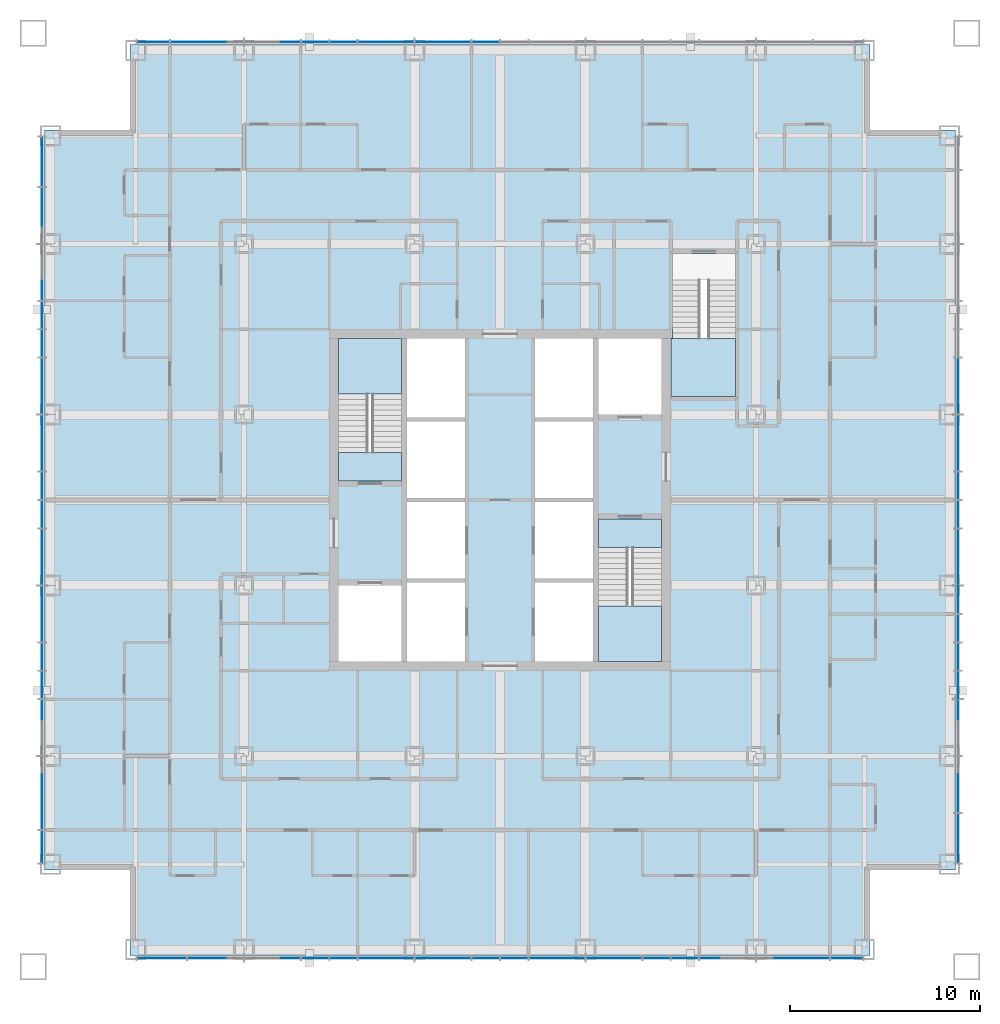
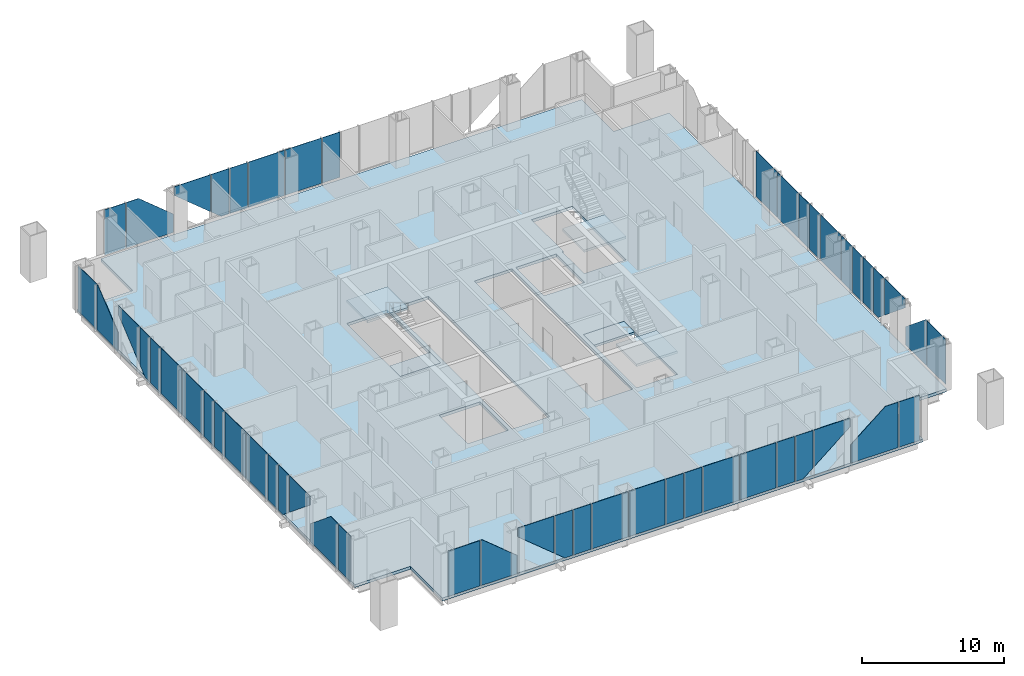
# One storey, part 7 of 14: 52 plates, 6 slabs, 7 elements without a shape of their own.
"""IFC4 building model written with IfcOpenShell, lengths in metres."""

from ifc_helpers import new_model, si_unit, direction, frame, origin, origin_2d, place, context, subcontext, project, spatial, polyline, rectangle, outline, extrude, material, layer, layer_set, type_object, element, aggregate, save


model = new_model("IFC4")

# Units and contexts
model_context = context("Model", 3, precision=1e-05, world=origin(), true_north=direction((0.0, 1.0)))
body_context = subcontext(model_context, "Body", "Model", "MODEL_VIEW")
ifc_project = project(units=[si_unit("LENGTHUNIT", "METRE"), si_unit("AREAUNIT", "SQUARE_METRE"), si_unit("VOLUMEUNIT", "CUBIC_METRE"), si_unit("PLANEANGLEUNIT", "RADIAN"), si_unit("MASSUNIT", "GRAM", prefix="KILO")], contexts=[model_context])

# Site, building, storey
site_placement = place(None, origin())
site = spatial("IfcSite", under=ifc_project, at=site_placement, CompositionType="ELEMENT")
building_placement = place(site_placement, origin())
building = spatial("IfcBuilding", under=site, at=building_placement, Name="Malebo Sky Hospital", CompositionType="ELEMENT")
storey_placement = place(building_placement, frame((0.0, 0.0, 128.0)))
storey = spatial("IfcBuildingStorey", under=building, at=storey_placement, Name="L30", CompositionType="ELEMENT", Elevation=128.0)

# Slab
ifc_material_1 = material(Name="Concrete C40/50", Category="concrete")
ifc_layer_1 = layer(ifc_material_1, 0.25)
ifc_layer_set_1 = layer_set([ifc_layer_1], Name="COMPOSITE FLOOR SLAB 250")
slab_type_1 = type_object("IfcSlabType", Name="COMPOSITE FLOOR SLAB 250", PredefinedType="FLOOR", material=ifc_layer_set_1)
slab_1_placement = place(storey_placement, frame((0.0, 0.0, -0.25)))
element("IfcSlab", 1, at=slab_1_placement, inside=storey, type_object=slab_type_1, Name="Floor slab L30", PredefinedType="FLOOR", context=body_context, shape_type="SweptSolid", body=[
    extrude(outline(polyline([(40.5, 86.0), (40.5, 81.5), (36.0, 81.5), (36.0, 42.5), (40.5, 42.5), (40.5, 38.0), (79.5, 38.0), (79.5, 42.5), (84.0, 42.5), (84.0, 81.5), (79.5, 81.5), (79.5, 86.0), (40.5, 86.0)]), holes=[polyline([(55.10009765625, 70.5), (58.14990234375, 70.5), (58.14990234375, 53.5), (55.10009765625, 53.5), (55.10009765625, 70.5)]), polyline([(64.89990234375, 70.5), (64.89990234375, 53.5), (61.85009765625, 53.5), (61.85009765625, 70.5), (64.89990234375, 70.5)]), polyline([(54.800048828125, 63.0), (51.5, 63.0), (51.5, 70.5), (54.800048828125, 70.5), (54.800048828125, 63.0)]), polyline([(51.5, 53.5), (51.5, 57.5), (54.800048828125, 57.5), (54.800048828125, 53.5), (51.5, 53.5)]), polyline([(65.199951171875, 61.0), (68.5, 61.0), (68.5, 53.5), (65.199951171875, 53.5), (65.199951171875, 61.0)]), polyline([(68.5, 70.5), (68.5, 66.5), (65.199951171875, 66.5), (65.199951171875, 70.5), (68.5, 70.5)]), polyline([(69.0, 67.449951171875), (69.0, 70.52001953125), (69.10009765625, 70.52001953125), (69.10009765625, 75.0), (72.39990234375, 75.0), (72.39990234375, 67.449951171875), (69.10009765625, 67.449951171875), (69.0, 67.449951171875)])]), origin(), (0.0, 0.0, 1.0), 0.25),
])

# Stair, slabs
stair_type_1 = type_object("IfcStairType", Name="HALF-TURN STAIR 1500 R167", PredefinedType="HALF_TURN_STAIR", material=ifc_material_1)
stair_1_placement = place(storey_placement, origin())
stair_1 = element("IfcStair", 2, at=stair_1_placement, inside=storey, type_object=stair_type_1, Name="Stair S1 L30 type ST1", PredefinedType="HALF_TURN_STAIR")
ifc_layer_2 = layer(ifc_material_1, 0.199951171875)
ifc_layer_set_2 = layer_set([ifc_layer_2], Name="STAIR LANDING 200")
slab_type_2 = type_object("IfcSlabType", Name="STAIR LANDING 200", PredefinedType="LANDING", material=ifc_layer_set_2)
slab_2_placement = place(storey_placement, frame((0.0, 0.0, -0.199951171875)))
slab_2 = element("IfcSlab", 3, at=slab_2_placement, type_object=slab_type_2, Name="S1 landing 1", PredefinedType="LANDING", context=body_context, shape_type="SweptSolid", body=[
    extrude(outline(polyline([(51.5, 63.0), (54.800048828125, 63.0), (54.800048828125, 64.5), (51.5, 64.5), (51.5, 63.0)])), origin(), (0.0, 0.0, 1.0), 0.199951171875),
])
slab_3_placement = place(storey_placement, frame((0.0, 0.0, 1.800048828125)))
slab_3 = element("IfcSlab", 4, at=slab_3_placement, type_object=slab_type_2, Name="S1 landing 2", PredefinedType="LANDING", context=body_context, shape_type="SweptSolid", body=[
    extrude(outline(polyline([(51.5, 67.580078125), (54.800048828125, 67.580078125), (54.800048828125, 70.5), (51.5, 70.5), (51.5, 67.580078125)])), origin(), (0.0, 0.0, 1.0), 0.199951171875),
])
aggregate(stair_1, [slab_2, slab_3])

stair_2_placement = place(storey_placement, origin())
stair_2 = element("IfcStair", 5, at=stair_2_placement, inside=storey, type_object=stair_type_1, Name="Stair S2 L30 type ST1", PredefinedType="HALF_TURN_STAIR")
slab_4_placement = place(storey_placement, frame((0.0, 0.0, -0.199951171875)))
slab_4 = element("IfcSlab", 6, at=slab_4_placement, type_object=slab_type_2, Name="S2 landing 1", PredefinedType="LANDING", context=body_context, shape_type="SweptSolid", body=[
    extrude(outline(polyline([(65.199951171875, 59.5), (68.5, 59.5), (68.5, 61.0), (65.199951171875, 61.0), (65.199951171875, 59.5)])), origin(), (0.0, 0.0, 1.0), 0.199951171875),
])
slab_5_placement = place(storey_placement, frame((0.0, 0.0, 1.800048828125)))
slab_5 = element("IfcSlab", 7, at=slab_5_placement, type_object=slab_type_2, Name="S2 landing 2", PredefinedType="LANDING", context=body_context, shape_type="SweptSolid", body=[
    extrude(outline(polyline([(65.199951171875, 53.5), (68.5, 53.5), (68.5, 56.419921875), (65.199951171875, 56.419921875), (65.199951171875, 53.5)])), origin(), (0.0, 0.0, 1.0), 0.199951171875),
])
aggregate(stair_2, [slab_4, slab_5])

# Stair, slab
stair_type_2 = type_object("IfcStairType", Name="HALF-TURN STAIR 1400 R167", PredefinedType="HALF_TURN_STAIR", material=ifc_material_1)
stair_3_placement = place(storey_placement, origin())
stair_3 = element("IfcStair", 8, at=stair_3_placement, inside=storey, type_object=stair_type_2, Name="Stair S3 L30 type ST1B", PredefinedType="HALF_TURN_STAIR")
slab_6_placement = place(storey_placement, frame((0.0, 0.0, 1.800048828125)))
slab_6 = element("IfcSlab", 9, at=slab_6_placement, type_object=slab_type_2, Name="S3 landing 2", PredefinedType="LANDING", context=body_context, shape_type="SweptSolid", body=[
    extrude(outline(polyline([(69.0, 67.449951171875), (72.39990234375, 67.449951171875), (72.39990234375, 70.52001953125), (69.0, 70.52001953125), (69.0, 67.449951171875)])), origin(), (0.0, 0.0, 1.0), 0.199951171875),
])
aggregate(stair_3, [slab_6])

# Curtain wall, plates
ifc_material_2 = material(Name="Anodised aluminium, natural silver", Category="aluminium")
ifc_layer_3 = layer(ifc_material_2, 0.25)
ifc_layer_set_3 = layer_set([ifc_layer_3], Name="WARD CURTAIN WALL NORTH AND SOUTH")
curtain_wall_type_1 = type_object("IfcCurtainWallType", Name="WARD CURTAIN WALL NORTH AND SOUTH", PredefinedType="NOTDEFINED", material=ifc_layer_set_3)
curtain_wall_1_placement = place(storey_placement, origin())
curtain_wall_1 = element("IfcCurtainWall", 10, at=curtain_wall_1_placement, inside=storey, type_object=curtain_wall_type_1, Name="NS curtain wall N", PredefinedType="NOTDEFINED")
ifc_material_3 = material(Name="Clear low-iron double glazing", Category="glass")
ifc_layer_4 = layer(ifc_material_3, 0.031982421875)
ifc_layer_set_4 = layer_set([ifc_layer_4], Name="VISION PANEL CLEAR 32")
plate_type = type_object("IfcPlateType", Name="VISION PANEL CLEAR 32", PredefinedType="CURTAIN_PANEL", material=ifc_layer_set_4)
plate_1_placement = place(storey_placement, frame((41.71875, 86.135009765625, 0.10009765625), z_axis=(0.0, 0.0, 1.0), x_axis=(1.0, 0.0, 0.0)))
plate_1 = element("IfcPlate", 11, at=plate_1_placement, type_object=plate_type, Name="Panel 1", PredefinedType="CURTAIN_PANEL", context=body_context, shape_type="SweptSolid", body=[
    extrude(rectangle(XDim=1.6875, YDim=0.031982421875, at=origin_2d()), origin(), (0.0, 0.0, 1.0), 3.889892578125),
])
plate_2_placement = place(storey_placement, frame((44.550048828125, 86.135009765625, 0.10009765625), z_axis=(0.0, 0.0, 1.0), x_axis=(1.0, 0.0, 0.0)))
plate_2 = element("IfcPlate", 12, at=plate_2_placement, type_object=plate_type, Name="Panel 2", PredefinedType="CURTAIN_PANEL", context=body_context, shape_type="SweptSolid", body=[
    extrude(outline(polyline([(-1.91259765625, 0.0), (1.91259765625, 0.0), (1.91259765625, 1.572021484375), (-0.900146484375, 3.889892578125), (-1.91259765625, 3.889892578125), (-1.91259765625, 0.0)])), frame((0.0, 0.01611328125, 0.0), z_axis=(0.0, -1.0, 0.0), x_axis=(1.0, 0.0, 0.0)), (0.0, 0.0, 1.0), 0.031982421875),
])
plate_3_placement = place(storey_placement, frame((48.0, 86.135009765625, 0.820556640625), z_axis=(0.0, 0.0, 1.0), x_axis=(1.0, 0.0, 0.0)))
plate_3 = element("IfcPlate", 13, at=plate_3_placement, type_object=plate_type, Name="Panel 3", PredefinedType="CURTAIN_PANEL", context=body_context, shape_type="SweptSolid", body=[
    extrude(outline(polyline([(1.46240234375, 0.0), (1.46240234375, 3.16943359375), (-1.46240234375, 3.16943359375), (-1.46240234375, 2.41064453125), (1.46240234375, 0.0)])), frame((0.0, 0.01611328125, 0.0), z_axis=(0.0, -1.0, 0.0), x_axis=(1.0, 0.0, 0.0)), (0.0, 0.0, 1.0), 0.031982421875),
])
plate_4_placement = place(storey_placement, frame((50.25, 86.135009765625, 0.10009765625), z_axis=(0.0, 0.0, 1.0), x_axis=(1.0, 0.0, 0.0)))
plate_4 = element("IfcPlate", 14, at=plate_4_placement, type_object=plate_type, Name="Panel 4", PredefinedType="CURTAIN_PANEL", context=body_context, shape_type="SweptSolid", body=[
    extrude(outline(polyline([(0.086669921875, 0.0), (0.71240234375, 0.0), (0.71240234375, 3.889892578125), (-0.71240234375, 3.889892578125), (-0.71240234375, 0.65869140625), (0.086669921875, 0.0)])), frame((0.0, 0.01611328125, 0.0), z_axis=(0.0, -1.0, 0.0), x_axis=(1.0, 0.0, 0.0)), (0.0, 0.0, 1.0), 0.031982421875),
])
plate_5_placement = place(storey_placement, frame((51.75, 86.135009765625, 0.10009765625), z_axis=(0.0, 0.0, 1.0), x_axis=(1.0, 0.0, 0.0)))
plate_5 = element("IfcPlate", 15, at=plate_5_placement, type_object=plate_type, Name="Panel 5", PredefinedType="CURTAIN_PANEL", context=body_context, shape_type="SweptSolid", body=[
    extrude(rectangle(XDim=1.425048828125, YDim=0.031982421875, at=origin_2d()), origin(), (0.0, 0.0, 1.0), 3.889892578125),
])
plate_6_placement = place(storey_placement, frame((54.0, 86.135009765625, 0.10009765625), z_axis=(0.0, 0.0, 1.0), x_axis=(1.0, 0.0, 0.0)))
plate_6 = element("IfcPlate", 16, at=plate_6_placement, type_object=plate_type, Name="Panel 6", PredefinedType="CURTAIN_PANEL", context=body_context, shape_type="SweptSolid", body=[
    extrude(rectangle(XDim=2.925048828125, YDim=0.031982421875, at=origin_2d()), origin(), (0.0, 0.0, 1.0), 3.889892578125),
])
plate_7_placement = place(storey_placement, frame((57.0, 86.135009765625, 0.10009765625), z_axis=(0.0, 0.0, 1.0), x_axis=(1.0, 0.0, 0.0)))
plate_7 = element("IfcPlate", 17, at=plate_7_placement, type_object=plate_type, Name="Panel 7", PredefinedType="CURTAIN_PANEL", context=body_context, shape_type="SweptSolid", body=[
    extrude(rectangle(XDim=2.925048828125, YDim=0.031982421875, at=origin_2d()), origin(), (0.0, 0.0, 1.0), 3.889892578125),
])
plate_8_placement = place(storey_placement, frame((59.25, 86.135009765625, 0.10009765625), z_axis=(0.0, 0.0, 1.0), x_axis=(1.0, 0.0, 0.0)))
plate_8 = element("IfcPlate", 18, at=plate_8_placement, type_object=plate_type, Name="Panel 8", PredefinedType="CURTAIN_PANEL", context=body_context, shape_type="SweptSolid", body=[
    extrude(rectangle(XDim=1.425048828125, YDim=0.031982421875, at=origin_2d()), origin(), (0.0, 0.0, 1.0), 3.889892578125),
])
aggregate(curtain_wall_1, [plate_1, plate_2, plate_3, plate_4, plate_5, plate_6, plate_7, plate_8])

ifc_layer_5 = layer(ifc_material_2, 0.25)
ifc_layer_set_5 = layer_set([ifc_layer_5], Name="WARD CURTAIN WALL EAST AND WEST")
curtain_wall_type_2 = type_object("IfcCurtainWallType", Name="WARD CURTAIN WALL EAST AND WEST", PredefinedType="NOTDEFINED", material=ifc_layer_set_5)
curtain_wall_2_placement = place(storey_placement, origin())
curtain_wall_2 = element("IfcCurtainWall", 19, at=curtain_wall_2_placement, inside=storey, type_object=curtain_wall_type_2, Name="EW curtain wall W", PredefinedType="NOTDEFINED")
plate_9_placement = place(storey_placement, frame((35.864990234375, 43.71875, 0.10009765625), z_axis=(0.0, 0.0, 1.0), x_axis=(0.0, 1.0, 0.0)))
plate_9 = element("IfcPlate", 20, at=plate_9_placement, type_object=plate_type, Name="Panel 1", PredefinedType="CURTAIN_PANEL", context=body_context, shape_type="SweptSolid", body=[
    extrude(rectangle(XDim=1.6875, YDim=0.031982421875, at=origin_2d()), origin(), (0.0, 0.0, 1.0), 3.889892578125),
])
plate_10_placement = place(storey_placement, frame((35.864990234375, 46.550048828125, 0.10009765625), z_axis=(0.0, 0.0, 1.0), x_axis=(0.0, 1.0, 0.0)))
plate_10 = element("IfcPlate", 21, at=plate_10_placement, type_object=plate_type, Name="Panel 2", PredefinedType="CURTAIN_PANEL", context=body_context, shape_type="SweptSolid", body=[
    extrude(outline(polyline([(-1.91259765625, 0.0), (1.91259765625, 0.0), (1.91259765625, 1.572021484375), (-0.900146484375, 3.889892578125), (-1.91259765625, 3.889892578125), (-1.91259765625, 0.0)])), frame((0.0, 0.01611328125, 0.0), z_axis=(0.0, -1.0, 0.0), x_axis=(1.0, 0.0, 0.0)), (0.0, 0.0, 1.0), 0.031982421875),
])
plate_11_placement = place(storey_placement, frame((35.864990234375, 50.0, 0.820556640625), z_axis=(0.0, 0.0, 1.0), x_axis=(0.0, 1.0, 0.0)))
plate_11 = element("IfcPlate", 22, at=plate_11_placement, type_object=plate_type, Name="Panel 3", PredefinedType="CURTAIN_PANEL", context=body_context, shape_type="SweptSolid", body=[
    extrude(outline(polyline([(1.46240234375, 0.0), (1.46240234375, 3.16943359375), (-1.46240234375, 3.16943359375), (-1.46240234375, 2.41064453125), (1.46240234375, 0.0)])), frame((0.0, 0.01611328125, 0.0), z_axis=(0.0, -1.0, 0.0), x_axis=(1.0, 0.0, 0.0)), (0.0, 0.0, 1.0), 0.031982421875),
])
plate_12_placement = place(storey_placement, frame((35.864990234375, 52.25, 0.10009765625), z_axis=(0.0, 0.0, 1.0), x_axis=(0.0, 1.0, 0.0)))
plate_12 = element("IfcPlate", 23, at=plate_12_placement, type_object=plate_type, Name="Panel 4", PredefinedType="CURTAIN_PANEL", context=body_context, shape_type="SweptSolid", body=[
    extrude(outline(polyline([(0.086669921875, 0.0), (0.71240234375, 0.0), (0.71240234375, 3.889892578125), (-0.71240234375, 3.889892578125), (-0.71240234375, 0.65869140625), (0.086669921875, 0.0)])), frame((0.0, 0.01611328125, 0.0), z_axis=(0.0, -1.0, 0.0), x_axis=(1.0, 0.0, 0.0)), (0.0, 0.0, 1.0), 0.031982421875),
])
plate_13_placement = place(storey_placement, frame((35.864990234375, 53.75, 0.10009765625), z_axis=(0.0, 0.0, 1.0), x_axis=(0.0, 1.0, 0.0)))
plate_13 = element("IfcPlate", 24, at=plate_13_placement, type_object=plate_type, Name="Panel 5", PredefinedType="CURTAIN_PANEL", context=body_context, shape_type="SweptSolid", body=[
    extrude(rectangle(XDim=1.425048828125, YDim=0.031982421875, at=origin_2d()), origin(), (0.0, 0.0, 1.0), 3.889892578125),
])
plate_14_placement = place(storey_placement, frame((35.864990234375, 56.0, 0.10009765625), z_axis=(0.0, 0.0, 1.0), x_axis=(0.0, 1.0, 0.0)))
plate_14 = element("IfcPlate", 25, at=plate_14_placement, type_object=plate_type, Name="Panel 6", PredefinedType="CURTAIN_PANEL", context=body_context, shape_type="SweptSolid", body=[
    extrude(rectangle(XDim=2.925048828125, YDim=0.031982421875, at=origin_2d()), origin(), (0.0, 0.0, 1.0), 3.889892578125),
])
plate_15_placement = place(storey_placement, frame((35.864990234375, 59.0, 0.10009765625), z_axis=(0.0, 0.0, 1.0), x_axis=(0.0, 1.0, 0.0)))
plate_15 = element("IfcPlate", 26, at=plate_15_placement, type_object=plate_type, Name="Panel 7", PredefinedType="CURTAIN_PANEL", context=body_context, shape_type="SweptSolid", body=[
    extrude(rectangle(XDim=2.925048828125, YDim=0.031982421875, at=origin_2d()), origin(), (0.0, 0.0, 1.0), 3.889892578125),
])
plate_16_placement = place(storey_placement, frame((35.864990234375, 61.25, 0.10009765625), z_axis=(0.0, 0.0, 1.0), x_axis=(0.0, 1.0, 0.0)))
plate_16 = element("IfcPlate", 27, at=plate_16_placement, type_object=plate_type, Name="Panel 8", PredefinedType="CURTAIN_PANEL", context=body_context, shape_type="SweptSolid", body=[
    extrude(rectangle(XDim=1.425048828125, YDim=0.031982421875, at=origin_2d()), origin(), (0.0, 0.0, 1.0), 3.889892578125),
])
plate_17_placement = place(storey_placement, frame((35.864990234375, 62.75, 0.10009765625), z_axis=(0.0, 0.0, 1.0), x_axis=(0.0, 1.0, 0.0)))
plate_17 = element("IfcPlate", 28, at=plate_17_placement, type_object=plate_type, Name="Panel 9", PredefinedType="CURTAIN_PANEL", context=body_context, shape_type="SweptSolid", body=[
    extrude(rectangle(XDim=1.425048828125, YDim=0.031982421875, at=origin_2d()), origin(), (0.0, 0.0, 1.0), 3.889892578125),
])
plate_18_placement = place(storey_placement, frame((35.864990234375, 65.0, 0.10009765625), z_axis=(0.0, 0.0, 1.0), x_axis=(0.0, 1.0, 0.0)))
plate_18 = element("IfcPlate", 29, at=plate_18_placement, type_object=plate_type, Name="Panel 10", PredefinedType="CURTAIN_PANEL", context=body_context, shape_type="SweptSolid", body=[
    extrude(rectangle(XDim=2.925048828125, YDim=0.031982421875, at=origin_2d()), origin(), (0.0, 0.0, 1.0), 3.889892578125),
])
plate_19_placement = place(storey_placement, frame((35.864990234375, 68.0, 0.10009765625), z_axis=(0.0, 0.0, 1.0), x_axis=(0.0, 1.0, 0.0)))
plate_19 = element("IfcPlate", 30, at=plate_19_placement, type_object=plate_type, Name="Panel 11", PredefinedType="CURTAIN_PANEL", context=body_context, shape_type="SweptSolid", body=[
    extrude(rectangle(XDim=2.925048828125, YDim=0.031982421875, at=origin_2d()), origin(), (0.0, 0.0, 1.0), 3.889892578125),
])
plate_20_placement = place(storey_placement, frame((35.864990234375, 70.25, 0.10009765625), z_axis=(0.0, 0.0, 1.0), x_axis=(0.0, 1.0, 0.0)))
plate_20 = element("IfcPlate", 31, at=plate_20_placement, type_object=plate_type, Name="Panel 12", PredefinedType="CURTAIN_PANEL", context=body_context, shape_type="SweptSolid", body=[
    extrude(rectangle(XDim=1.425048828125, YDim=0.031982421875, at=origin_2d()), origin(), (0.0, 0.0, 1.0), 3.889892578125),
])
plate_21_placement = place(storey_placement, frame((35.864990234375, 71.75, 0.10009765625), z_axis=(0.0, 0.0, 1.0), x_axis=(0.0, 1.0, 0.0)))
plate_21 = element("IfcPlate", 32, at=plate_21_placement, type_object=plate_type, Name="Panel 13", PredefinedType="CURTAIN_PANEL", context=body_context, shape_type="SweptSolid", body=[
    extrude(outline(polyline([(-0.71240234375, 0.0), (-0.086669921875, 0.0), (0.71240234375, 0.65869140625), (0.71240234375, 3.889892578125), (-0.71240234375, 3.889892578125), (-0.71240234375, 0.0)])), frame((0.0, 0.01611328125, 0.0), z_axis=(0.0, -1.0, 0.0), x_axis=(1.0, 0.0, 0.0)), (0.0, 0.0, 1.0), 0.031982421875),
])
plate_22_placement = place(storey_placement, frame((35.864990234375, 74.0, 0.820556640625), z_axis=(0.0, 0.0, 1.0), x_axis=(0.0, 1.0, 0.0)))
plate_22 = element("IfcPlate", 33, at=plate_22_placement, type_object=plate_type, Name="Panel 14", PredefinedType="CURTAIN_PANEL", context=body_context, shape_type="SweptSolid", body=[
    extrude(outline(polyline([(-1.46240234375, 0.0), (1.46240234375, 2.41064453125), (1.46240234375, 3.16943359375), (-1.46240234375, 3.16943359375), (-1.46240234375, 0.0)])), frame((0.0, 0.01611328125, 0.0), z_axis=(0.0, -1.0, 0.0), x_axis=(1.0, 0.0, 0.0)), (0.0, 0.0, 1.0), 0.031982421875),
])
plate_23_placement = place(storey_placement, frame((35.864990234375, 77.0, 0.10009765625), z_axis=(0.0, 0.0, 1.0), x_axis=(0.0, 1.0, 0.0)))
plate_23 = element("IfcPlate", 34, at=plate_23_placement, type_object=plate_type, Name="Panel 15", PredefinedType="CURTAIN_PANEL", context=body_context, shape_type="SweptSolid", body=[
    extrude(outline(polyline([(-1.46240234375, 0.0), (1.46240234375, 0.0), (1.46240234375, 3.889892578125), (1.35009765625, 3.889892578125), (-1.46240234375, 1.572021484375), (-1.46240234375, 0.0)])), frame((0.0, 0.01611328125, 0.0), z_axis=(0.0, -1.0, 0.0), x_axis=(1.0, 0.0, 0.0)), (0.0, 0.0, 1.0), 0.031982421875),
])
plate_24_placement = place(storey_placement, frame((35.864990234375, 79.831298828125, 0.10009765625), z_axis=(0.0, 0.0, 1.0), x_axis=(0.0, 1.0, 0.0)))
plate_24 = element("IfcPlate", 35, at=plate_24_placement, type_object=plate_type, Name="Panel 16", PredefinedType="CURTAIN_PANEL", context=body_context, shape_type="SweptSolid", body=[
    extrude(rectangle(XDim=2.58740234375, YDim=0.031982421875, at=origin_2d()), origin(), (0.0, 0.0, 1.0), 3.889892578125),
])
aggregate(curtain_wall_2, [plate_9, plate_10, plate_11, plate_12, plate_13, plate_14, plate_15, plate_16, plate_17, plate_18, plate_19, plate_20, plate_21, plate_22, plate_23, plate_24])

curtain_wall_3_placement = place(storey_placement, origin())
curtain_wall_3 = element("IfcCurtainWall", 36, at=curtain_wall_3_placement, inside=storey, type_object=curtain_wall_type_1, Name="NS curtain wall S", PredefinedType="NOTDEFINED")
plate_25_placement = place(storey_placement, frame((78.28125, 37.864990234375, 0.10009765625), z_axis=(0.0, 0.0, 1.0), x_axis=(-1.0, 0.0, 0.0)))
plate_25 = element("IfcPlate", 37, at=plate_25_placement, type_object=plate_type, Name="Panel 1", PredefinedType="CURTAIN_PANEL", context=body_context, shape_type="SweptSolid", body=[
    extrude(rectangle(XDim=1.6875, YDim=0.031982421875, at=origin_2d()), origin(), (0.0, 0.0, 1.0), 3.889892578125),
])
plate_26_placement = place(storey_placement, frame((75.449951171875, 37.864990234375, 0.10009765625), z_axis=(0.0, 0.0, 1.0), x_axis=(-1.0, 0.0, 0.0)))
plate_26 = element("IfcPlate", 38, at=plate_26_placement, type_object=plate_type, Name="Panel 2", PredefinedType="CURTAIN_PANEL", context=body_context, shape_type="SweptSolid", body=[
    extrude(outline(polyline([(-1.91259765625, 0.0), (1.91259765625, 0.0), (1.91259765625, 1.572021484375), (-0.900146484375, 3.889892578125), (-1.91259765625, 3.889892578125), (-1.91259765625, 0.0)])), frame((0.0, 0.01611328125, 0.0), z_axis=(0.0, -1.0, 0.0), x_axis=(1.0, 0.0, 0.0)), (0.0, 0.0, 1.0), 0.031982421875),
])
plate_27_placement = place(storey_placement, frame((72.0, 37.864990234375, 0.820556640625), z_axis=(0.0, 0.0, 1.0), x_axis=(-1.0, 0.0, 0.0)))
plate_27 = element("IfcPlate", 39, at=plate_27_placement, type_object=plate_type, Name="Panel 3", PredefinedType="CURTAIN_PANEL", context=body_context, shape_type="SweptSolid", body=[
    extrude(outline(polyline([(1.46240234375, 0.0), (1.46240234375, 3.16943359375), (-1.46240234375, 3.16943359375), (-1.46240234375, 2.41064453125), (1.46240234375, 0.0)])), frame((0.0, 0.01611328125, 0.0), z_axis=(0.0, -1.0, 0.0), x_axis=(1.0, 0.0, 0.0)), (0.0, 0.0, 1.0), 0.031982421875),
])
plate_28_placement = place(storey_placement, frame((69.75, 37.864990234375, 0.10009765625), z_axis=(0.0, 0.0, 1.0), x_axis=(-1.0, 0.0, 0.0)))
plate_28 = element("IfcPlate", 40, at=plate_28_placement, type_object=plate_type, Name="Panel 4", PredefinedType="CURTAIN_PANEL", context=body_context, shape_type="SweptSolid", body=[
    extrude(outline(polyline([(0.086669921875, 0.0), (0.71240234375, 0.0), (0.71240234375, 3.889892578125), (-0.71240234375, 3.889892578125), (-0.71240234375, 0.65869140625), (0.086669921875, 0.0)])), frame((0.0, 0.01611328125, 0.0), z_axis=(0.0, -1.0, 0.0), x_axis=(1.0, 0.0, 0.0)), (0.0, 0.0, 1.0), 0.031982421875),
])
plate_29_placement = place(storey_placement, frame((68.25, 37.864990234375, 0.10009765625), z_axis=(0.0, 0.0, 1.0), x_axis=(-1.0, 0.0, 0.0)))
plate_29 = element("IfcPlate", 41, at=plate_29_placement, type_object=plate_type, Name="Panel 5", PredefinedType="CURTAIN_PANEL", context=body_context, shape_type="SweptSolid", body=[
    extrude(rectangle(XDim=1.425048828125, YDim=0.031982421875, at=origin_2d()), origin(), (0.0, 0.0, 1.0), 3.889892578125),
])
plate_30_placement = place(storey_placement, frame((66.0, 37.864990234375, 0.10009765625), z_axis=(0.0, 0.0, 1.0), x_axis=(-1.0, 0.0, 0.0)))
plate_30 = element("IfcPlate", 42, at=plate_30_placement, type_object=plate_type, Name="Panel 6", PredefinedType="CURTAIN_PANEL", context=body_context, shape_type="SweptSolid", body=[
    extrude(rectangle(XDim=2.925048828125, YDim=0.031982421875, at=origin_2d()), origin(), (0.0, 0.0, 1.0), 3.889892578125),
])
plate_31_placement = place(storey_placement, frame((63.0, 37.864990234375, 0.10009765625), z_axis=(0.0, 0.0, 1.0), x_axis=(-1.0, 0.0, 0.0)))
plate_31 = element("IfcPlate", 43, at=plate_31_placement, type_object=plate_type, Name="Panel 7", PredefinedType="CURTAIN_PANEL", context=body_context, shape_type="SweptSolid", body=[
    extrude(rectangle(XDim=2.925048828125, YDim=0.031982421875, at=origin_2d()), origin(), (0.0, 0.0, 1.0), 3.889892578125),
])
plate_32_placement = place(storey_placement, frame((60.75, 37.864990234375, 0.10009765625), z_axis=(0.0, 0.0, 1.0), x_axis=(-1.0, 0.0, 0.0)))
plate_32 = element("IfcPlate", 44, at=plate_32_placement, type_object=plate_type, Name="Panel 8", PredefinedType="CURTAIN_PANEL", context=body_context, shape_type="SweptSolid", body=[
    extrude(rectangle(XDim=1.425048828125, YDim=0.031982421875, at=origin_2d()), origin(), (0.0, 0.0, 1.0), 3.889892578125),
])
plate_33_placement = place(storey_placement, frame((59.25, 37.864990234375, 0.10009765625), z_axis=(0.0, 0.0, 1.0), x_axis=(-1.0, 0.0, 0.0)))
plate_33 = element("IfcPlate", 45, at=plate_33_placement, type_object=plate_type, Name="Panel 9", PredefinedType="CURTAIN_PANEL", context=body_context, shape_type="SweptSolid", body=[
    extrude(rectangle(XDim=1.425048828125, YDim=0.031982421875, at=origin_2d()), origin(), (0.0, 0.0, 1.0), 3.889892578125),
])
plate_34_placement = place(storey_placement, frame((57.0, 37.864990234375, 0.10009765625), z_axis=(0.0, 0.0, 1.0), x_axis=(-1.0, 0.0, 0.0)))
plate_34 = element("IfcPlate", 46, at=plate_34_placement, type_object=plate_type, Name="Panel 10", PredefinedType="CURTAIN_PANEL", context=body_context, shape_type="SweptSolid", body=[
    extrude(rectangle(XDim=2.925048828125, YDim=0.031982421875, at=origin_2d()), origin(), (0.0, 0.0, 1.0), 3.889892578125),
])
plate_35_placement = place(storey_placement, frame((54.0, 37.864990234375, 0.10009765625), z_axis=(0.0, 0.0, 1.0), x_axis=(-1.0, 0.0, 0.0)))
plate_35 = element("IfcPlate", 47, at=plate_35_placement, type_object=plate_type, Name="Panel 11", PredefinedType="CURTAIN_PANEL", context=body_context, shape_type="SweptSolid", body=[
    extrude(rectangle(XDim=2.925048828125, YDim=0.031982421875, at=origin_2d()), origin(), (0.0, 0.0, 1.0), 3.889892578125),
])
plate_36_placement = place(storey_placement, frame((51.75, 37.864990234375, 0.10009765625), z_axis=(0.0, 0.0, 1.0), x_axis=(-1.0, 0.0, 0.0)))
plate_36 = element("IfcPlate", 48, at=plate_36_placement, type_object=plate_type, Name="Panel 12", PredefinedType="CURTAIN_PANEL", context=body_context, shape_type="SweptSolid", body=[
    extrude(rectangle(XDim=1.425048828125, YDim=0.031982421875, at=origin_2d()), origin(), (0.0, 0.0, 1.0), 3.889892578125),
])
plate_37_placement = place(storey_placement, frame((50.25, 37.864990234375, 0.10009765625), z_axis=(0.0, 0.0, 1.0), x_axis=(-1.0, 0.0, 0.0)))
plate_37 = element("IfcPlate", 49, at=plate_37_placement, type_object=plate_type, Name="Panel 13", PredefinedType="CURTAIN_PANEL", context=body_context, shape_type="SweptSolid", body=[
    extrude(outline(polyline([(-0.71240234375, 0.0), (-0.086669921875, 0.0), (0.71240234375, 0.65869140625), (0.71240234375, 3.889892578125), (-0.71240234375, 3.889892578125), (-0.71240234375, 0.0)])), frame((0.0, 0.01611328125, 0.0), z_axis=(0.0, -1.0, 0.0), x_axis=(1.0, 0.0, 0.0)), (0.0, 0.0, 1.0), 0.031982421875),
])
plate_38_placement = place(storey_placement, frame((48.0, 37.864990234375, 0.820556640625), z_axis=(0.0, 0.0, 1.0), x_axis=(-1.0, 0.0, 0.0)))
plate_38 = element("IfcPlate", 50, at=plate_38_placement, type_object=plate_type, Name="Panel 14", PredefinedType="CURTAIN_PANEL", context=body_context, shape_type="SweptSolid", body=[
    extrude(outline(polyline([(-1.46240234375, 0.0), (1.46240234375, 2.41064453125), (1.46240234375, 3.16943359375), (-1.46240234375, 3.16943359375), (-1.46240234375, 0.0)])), frame((0.0, 0.01611328125, 0.0), z_axis=(0.0, -1.0, 0.0), x_axis=(1.0, 0.0, 0.0)), (0.0, 0.0, 1.0), 0.031982421875),
])
plate_39_placement = place(storey_placement, frame((45.0, 37.864990234375, 0.10009765625), z_axis=(0.0, 0.0, 1.0), x_axis=(-1.0, 0.0, 0.0)))
plate_39 = element("IfcPlate", 51, at=plate_39_placement, type_object=plate_type, Name="Panel 15", PredefinedType="CURTAIN_PANEL", context=body_context, shape_type="SweptSolid", body=[
    extrude(outline(polyline([(-1.46240234375, 0.0), (1.46240234375, 0.0), (1.46240234375, 3.889892578125), (1.35009765625, 3.889892578125), (-1.46240234375, 1.572021484375), (-1.46240234375, 0.0)])), frame((0.0, 0.01611328125, 0.0), z_axis=(0.0, -1.0, 0.0), x_axis=(1.0, 0.0, 0.0)), (0.0, 0.0, 1.0), 0.031982421875),
])
plate_40_placement = place(storey_placement, frame((42.168701171875, 37.864990234375, 0.10009765625), z_axis=(0.0, 0.0, 1.0), x_axis=(-1.0, 0.0, 0.0)))
plate_40 = element("IfcPlate", 52, at=plate_40_placement, type_object=plate_type, Name="Panel 16", PredefinedType="CURTAIN_PANEL", context=body_context, shape_type="SweptSolid", body=[
    extrude(rectangle(XDim=2.58740234375, YDim=0.031982421875, at=origin_2d()), origin(), (0.0, 0.0, 1.0), 3.889892578125),
])
aggregate(curtain_wall_3, [plate_25, plate_26, plate_27, plate_28, plate_29, plate_30, plate_31, plate_32, plate_33, plate_34, plate_35, plate_36, plate_37, plate_38, plate_39, plate_40])

curtain_wall_4_placement = place(storey_placement, origin())
curtain_wall_4 = element("IfcCurtainWall", 53, at=curtain_wall_4_placement, inside=storey, type_object=curtain_wall_type_2, Name="EW curtain wall E", PredefinedType="NOTDEFINED")
plate_41_placement = place(storey_placement, frame((84.135009765625, 68.0, 0.10009765625), z_axis=(0.0, 0.0, 1.0), x_axis=(0.0, -1.0, 0.0)))
plate_41 = element("IfcPlate", 54, at=plate_41_placement, type_object=plate_type, Name="Panel 6", PredefinedType="CURTAIN_PANEL", context=body_context, shape_type="SweptSolid", body=[
    extrude(rectangle(XDim=2.925048828125, YDim=0.031982421875, at=origin_2d()), origin(), (0.0, 0.0, 1.0), 3.889892578125),
])
plate_42_placement = place(storey_placement, frame((84.135009765625, 65.0, 0.10009765625), z_axis=(0.0, 0.0, 1.0), x_axis=(0.0, -1.0, 0.0)))
plate_42 = element("IfcPlate", 55, at=plate_42_placement, type_object=plate_type, Name="Panel 7", PredefinedType="CURTAIN_PANEL", context=body_context, shape_type="SweptSolid", body=[
    extrude(rectangle(XDim=2.925048828125, YDim=0.031982421875, at=origin_2d()), origin(), (0.0, 0.0, 1.0), 3.889892578125),
])
plate_43_placement = place(storey_placement, frame((84.135009765625, 62.75, 0.10009765625), z_axis=(0.0, 0.0, 1.0), x_axis=(0.0, -1.0, 0.0)))
plate_43 = element("IfcPlate", 56, at=plate_43_placement, type_object=plate_type, Name="Panel 8", PredefinedType="CURTAIN_PANEL", context=body_context, shape_type="SweptSolid", body=[
    extrude(rectangle(XDim=1.425048828125, YDim=0.031982421875, at=origin_2d()), origin(), (0.0, 0.0, 1.0), 3.889892578125),
])
plate_44_placement = place(storey_placement, frame((84.135009765625, 61.25, 0.10009765625), z_axis=(0.0, 0.0, 1.0), x_axis=(0.0, -1.0, 0.0)))
plate_44 = element("IfcPlate", 57, at=plate_44_placement, type_object=plate_type, Name="Panel 9", PredefinedType="CURTAIN_PANEL", context=body_context, shape_type="SweptSolid", body=[
    extrude(rectangle(XDim=1.425048828125, YDim=0.031982421875, at=origin_2d()), origin(), (0.0, 0.0, 1.0), 3.889892578125),
])
plate_45_placement = place(storey_placement, frame((84.135009765625, 59.0, 0.10009765625), z_axis=(0.0, 0.0, 1.0), x_axis=(0.0, -1.0, 0.0)))
plate_45 = element("IfcPlate", 58, at=plate_45_placement, type_object=plate_type, Name="Panel 10", PredefinedType="CURTAIN_PANEL", context=body_context, shape_type="SweptSolid", body=[
    extrude(rectangle(XDim=2.925048828125, YDim=0.031982421875, at=origin_2d()), origin(), (0.0, 0.0, 1.0), 3.889892578125),
])
plate_46_placement = place(storey_placement, frame((84.135009765625, 56.75, 0.10009765625), z_axis=(0.0, 0.0, 1.0), x_axis=(0.0, -1.0, 0.0)))
plate_46 = element("IfcPlate", 59, at=plate_46_placement, type_object=plate_type, Name="Panel 11", PredefinedType="CURTAIN_PANEL", context=body_context, shape_type="SweptSolid", body=[
    extrude(rectangle(XDim=1.425048828125, YDim=0.031982421875, at=origin_2d()), origin(), (0.0, 0.0, 1.0), 3.889892578125),
])
plate_47_placement = place(storey_placement, frame((84.135009765625, 55.25, 0.10009765625), z_axis=(0.0, 0.0, 1.0), x_axis=(0.0, -1.0, 0.0)))
plate_47 = element("IfcPlate", 60, at=plate_47_placement, type_object=plate_type, Name="Panel 12", PredefinedType="CURTAIN_PANEL", context=body_context, shape_type="SweptSolid", body=[
    extrude(rectangle(XDim=1.425048828125, YDim=0.031982421875, at=origin_2d()), origin(), (0.0, 0.0, 1.0), 3.889892578125),
])
plate_48_placement = place(storey_placement, frame((84.135009765625, 53.75, 0.10009765625), z_axis=(0.0, 0.0, 1.0), x_axis=(0.0, -1.0, 0.0)))
plate_48 = element("IfcPlate", 61, at=plate_48_placement, type_object=plate_type, Name="Panel 13", PredefinedType="CURTAIN_PANEL", context=body_context, shape_type="SweptSolid", body=[
    extrude(rectangle(XDim=1.425048828125, YDim=0.031982421875, at=origin_2d()), origin(), (0.0, 0.0, 1.0), 3.889892578125),
])
plate_49_placement = place(storey_placement, frame((84.135009765625, 52.25, 0.10009765625), z_axis=(0.0, 0.0, 1.0), x_axis=(0.0, -1.0, 0.0)))
plate_49 = element("IfcPlate", 62, at=plate_49_placement, type_object=plate_type, Name="Panel 14", PredefinedType="CURTAIN_PANEL", context=body_context, shape_type="SweptSolid", body=[
    extrude(outline(polyline([(-0.71240234375, 0.0), (-0.086669921875, 0.0), (0.71240234375, 0.65869140625), (0.71240234375, 3.889892578125), (-0.71240234375, 3.889892578125), (-0.71240234375, 0.0)])), frame((0.0, 0.01611328125, 0.0), z_axis=(0.0, -1.0, 0.0), x_axis=(1.0, 0.0, 0.0)), (0.0, 0.0, 1.0), 0.031982421875),
])
plate_50_placement = place(storey_placement, frame((84.135009765625, 50.0, 0.820556640625), z_axis=(0.0, 0.0, 1.0), x_axis=(0.0, -1.0, 0.0)))
plate_50 = element("IfcPlate", 63, at=plate_50_placement, type_object=plate_type, Name="Panel 15", PredefinedType="CURTAIN_PANEL", context=body_context, shape_type="SweptSolid", body=[
    extrude(outline(polyline([(-1.46240234375, 0.0), (1.46240234375, 2.41064453125), (1.46240234375, 3.16943359375), (-1.46240234375, 3.16943359375), (-1.46240234375, 0.0)])), frame((0.0, 0.01611328125, 0.0), z_axis=(0.0, -1.0, 0.0), x_axis=(1.0, 0.0, 0.0)), (0.0, 0.0, 1.0), 0.031982421875),
])
plate_51_placement = place(storey_placement, frame((84.135009765625, 47.0, 0.10009765625), z_axis=(0.0, 0.0, 1.0), x_axis=(0.0, -1.0, 0.0)))
plate_51 = element("IfcPlate", 64, at=plate_51_placement, type_object=plate_type, Name="Panel 16", PredefinedType="CURTAIN_PANEL", context=body_context, shape_type="SweptSolid", body=[
    extrude(outline(polyline([(-1.46240234375, 0.0), (1.46240234375, 0.0), (1.46240234375, 3.889892578125), (1.35009765625, 3.889892578125), (-1.46240234375, 1.572021484375), (-1.46240234375, 0.0)])), frame((0.0, 0.01611328125, 0.0), z_axis=(0.0, -1.0, 0.0), x_axis=(1.0, 0.0, 0.0)), (0.0, 0.0, 1.0), 0.031982421875),
])
plate_52_placement = place(storey_placement, frame((84.135009765625, 44.168701171875, 0.10009765625), z_axis=(0.0, 0.0, 1.0), x_axis=(0.0, -1.0, 0.0)))
plate_52 = element("IfcPlate", 65, at=plate_52_placement, type_object=plate_type, Name="Panel 17", PredefinedType="CURTAIN_PANEL", context=body_context, shape_type="SweptSolid", body=[
    extrude(rectangle(XDim=2.58740234375, YDim=0.031982421875, at=origin_2d()), origin(), (0.0, 0.0, 1.0), 3.889892578125),
])
aggregate(curtain_wall_4, [plate_41, plate_42, plate_43, plate_44, plate_45, plate_46, plate_47, plate_48, plate_49, plate_50, plate_51, plate_52])

save(model, "model.ifc")
